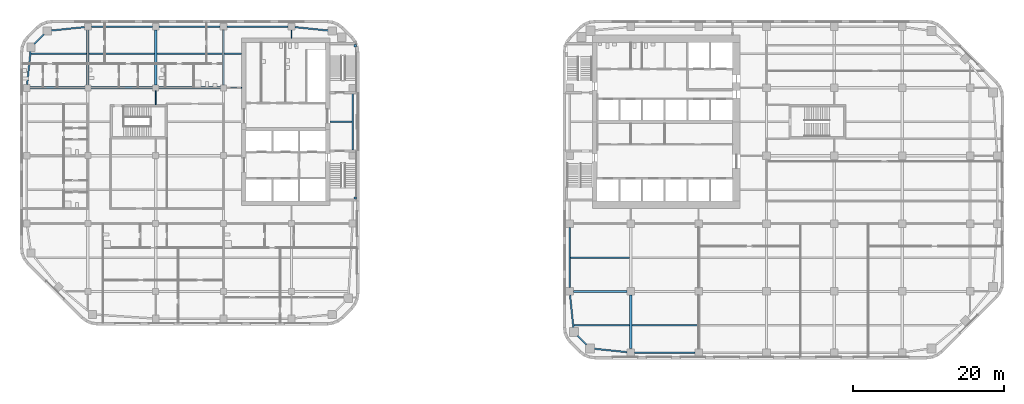
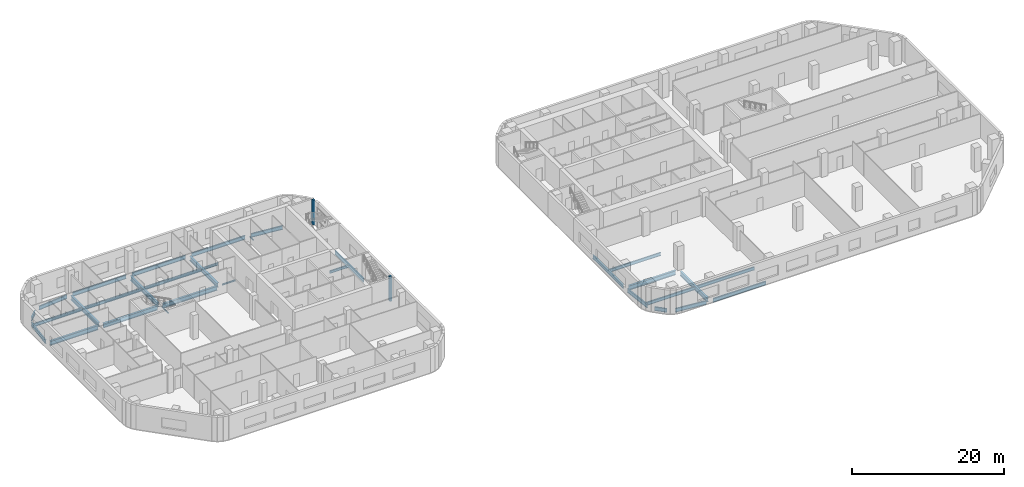
# One storey, part 2 of 16: 32 beams, 2 members.
"""IFC4 building model written with IfcOpenShell, lengths in metres."""

from ifc_helpers import new_model, si_unit, direction, frame, origin, origin_2d, place, context, subcontext, project, spatial, rectangle, i_section, extrude, material, material_profile, profile_set, type_object, element, save


model = new_model("IFC4")

# Units and contexts
model_context = context("Model", 3, precision=1e-05, world=origin(), true_north=direction((0.0, 1.0)))
body_context = subcontext(model_context, "Body", "Model", "MODEL_VIEW")
ifc_project = project(units=[si_unit("LENGTHUNIT", "METRE"), si_unit("AREAUNIT", "SQUARE_METRE"), si_unit("VOLUMEUNIT", "CUBIC_METRE"), si_unit("PLANEANGLEUNIT", "RADIAN"), si_unit("MASSUNIT", "GRAM", prefix="KILO")], contexts=[model_context])

# Site, building, storey
site_placement = place(None, origin())
site = spatial("IfcSite", under=ifc_project, at=site_placement, CompositionType="ELEMENT")
building_placement = place(site_placement, origin())
building = spatial("IfcBuilding", under=site, at=building_placement, Name="Cinnabar Reach Civic Tower", CompositionType="ELEMENT")
storey_placement = place(building_placement, frame((0.0, 0.0, 38.0)))
storey = spatial("IfcBuildingStorey", under=building, at=storey_placement, Name="L08", CompositionType="ELEMENT", Elevation=38.0)

# Beams
ifc_material_1 = material(Name="Steel Q355B", Category="steel")
ifc_material_profile_1 = material_profile(ifc_material_1, i_section(OverallWidth=0.099, OverallDepth=0.198, WebThickness=0.0045, FlangeThickness=0.007, FilletRadius=0.013, at=origin_2d()), Name="HN200x100x5.5x8")
ifc_profile_set_1 = profile_set([ifc_material_profile_1], Name="Steel Q355B")
beam_type_1 = type_object("IfcBeamType", Name="HN200x100x5.5x8 beam R 120", PredefinedType="BEAM", material=ifc_profile_set_1)
beam_1_placement = place(storey_placement, frame((-54.0, 33.752, -0.249), z_axis=(0.0, 1.0, 0.0), x_axis=(-1.0, 0.0, 0.0)))
element("IfcBeam", 1, at=beam_1_placement, inside=storey, type_object=beam_type_1, Name="Girder T2 L08 10", PredefinedType="BEAM", context=body_context, shape_type="SweptSolid", body=[
    extrude(i_section(OverallWidth=0.099, OverallDepth=0.198, WebThickness=0.0045, FlangeThickness=0.007, FilletRadius=0.013, at=origin_2d()), origin(), (0.0, 0.0, 1.0), 1.846),
])
beam_2_placement = place(storey_placement, frame((-36.0, 42.602, -0.249), z_axis=(0.0, 1.0, 0.0), x_axis=(-1.0, 0.0, 0.0)))
element("IfcBeam", 2, at=beam_2_placement, inside=storey, type_object=beam_type_1, Name="Girder T2 L08 20", PredefinedType="BEAM", context=body_context, shape_type="SweptSolid", body=[
    extrude(i_section(OverallWidth=0.099, OverallDepth=0.198, WebThickness=0.0045, FlangeThickness=0.007, FilletRadius=0.013, at=origin_2d()), origin(), (0.0, 0.0, 1.0), 1.046),
])
ifc_material_profile_2 = material_profile(ifc_material_1, i_section(OverallWidth=0.124, OverallDepth=0.248, WebThickness=0.005, FlangeThickness=0.008, FilletRadius=0.013, at=origin_2d()), Name="HN250x125x6x9")
ifc_profile_set_2 = profile_set([ifc_material_profile_2], Name="Steel Q355B")
beam_type_2 = type_object("IfcBeamType", Name="HN250x125x6x9 beam R 120", PredefinedType="BEAM", material=ifc_profile_set_2)
beam_3_placement = place(storey_placement, frame((-44.598, 36.0, -0.274), z_axis=(1.0, 0.0, 0.0), x_axis=(0.0, 1.0, 0.0)))
element("IfcBeam", 3, at=beam_3_placement, inside=storey, type_object=beam_type_2, Name="Girder T2 L08 18", PredefinedType="BEAM", context=body_context, shape_type="SweptSolid", body=[
    extrude(i_section(OverallWidth=0.124, OverallDepth=0.248, WebThickness=0.005, FlangeThickness=0.008, FilletRadius=0.013, at=origin_2d()), origin(), (0.0, 0.0, 1.0), 1.996),
])
ifc_material_profile_3 = material_profile(ifc_material_1, i_section(OverallWidth=0.2, OverallDepth=0.4, WebThickness=0.008, FlangeThickness=0.013, FilletRadius=0.016, at=origin_2d()), Name="HN400x200x8x13")
ifc_profile_set_3 = profile_set([ifc_material_profile_3], Name="Steel Q355B")
beam_type_3 = type_object("IfcBeamType", Name="HN400x200x8x13 beam R 120", PredefinedType="BEAM", material=ifc_profile_set_3)
beam_4_placement = place(storey_placement, frame((-30.898, 31.5, -0.35), z_axis=(1.0, 0.0, 0.0), x_axis=(0.0, 1.0, 0.0)))
element("IfcBeam", 4, at=beam_4_placement, inside=storey, type_object=beam_type_3, Name="Secondary beam T2 L08 14", PredefinedType="BEAM", context=body_context, shape_type="SweptSolid", body=[
    extrude(i_section(OverallWidth=0.2, OverallDepth=0.4, WebThickness=0.008, FlangeThickness=0.013, FilletRadius=0.016, at=origin_2d()), origin(), (0.0, 0.0, 1.0), 2.896),
])
beam_5_placement = place(storey_placement, frame((-44.848, 40.5, -0.35), z_axis=(1.0, 0.0, 0.0), x_axis=(0.0, 1.0, 0.0)))
element("IfcBeam", 5, at=beam_5_placement, inside=storey, type_object=beam_type_3, Name="Secondary beam T2 L08 18", PredefinedType="BEAM", context=body_context, shape_type="SweptSolid", body=[
    extrude(i_section(OverallWidth=0.2, OverallDepth=0.4, WebThickness=0.008, FlangeThickness=0.013, FilletRadius=0.016, at=origin_2d()), origin(), (0.0, 0.0, 1.0), 2.246),
])
ifc_material_profile_4 = material_profile(ifc_material_1, i_section(OverallWidth=0.2, OverallDepth=0.5, WebThickness=0.01, FlangeThickness=0.016, FilletRadius=0.016, at=origin_2d()), Name="HN500x200x10x16")
ifc_profile_set_4 = profile_set([ifc_material_profile_4], Name="Steel Q355B")
beam_type_4 = type_object("IfcBeamType", Name="HN500x200x10x16 beam R 120", PredefinedType="BEAM", material=ifc_profile_set_4)
beam_6_placement = place(storey_placement, frame((-70.5364, 40.5, -0.4), z_axis=(1.0, 0.0, 0.0), x_axis=(0.0, 1.0, 0.0)))
element("IfcBeam", 6, at=beam_6_placement, inside=storey, type_object=beam_type_4, Name="Secondary beam T2 L08 15", PredefinedType="BEAM", context=body_context, shape_type="SweptSolid", body=[
    extrude(i_section(OverallWidth=0.2, OverallDepth=0.5, WebThickness=0.01, FlangeThickness=0.016, FilletRadius=0.016, at=origin_2d()), origin(), (0.0, 0.0, 1.0), 7.3844),
])
for number, where, z_axis, x_axis, name in (
    (7, (-62.848, 40.5, -0.4), (1.0, 0.0, 0.0), (0.0, 1.0, 0.0), "Secondary beam T2 L08 16"),
    (8, (-53.848, 40.5, -0.4), (1.0, 0.0, 0.0), (0.0, 1.0, 0.0), "Secondary beam T2 L08 17"),
):
    element("IfcBeam", number, at=place(storey_placement, frame(where, z_axis=z_axis, x_axis=x_axis)), inside=storey, type_object=beam_type_4, Name=name, PredefinedType="BEAM", context=body_context, shape_type="SweptSolid", body=[
        extrude(i_section(OverallWidth=0.2, OverallDepth=0.5, WebThickness=0.01, FlangeThickness=0.016, FilletRadius=0.016, at=origin_2d()), origin(), (0.0, 0.0, 1.0), 8.696),
    ])
ifc_material_profile_5 = material_profile(ifc_material_1, i_section(OverallWidth=0.2, OverallDepth=0.5, WebThickness=0.01, FlangeThickness=0.016, FilletRadius=0.016, at=origin_2d()), Name="HN500x200x10x16")
ifc_profile_set_5 = profile_set([ifc_material_profile_5], Name="Steel Q355B")
beam_type_5 = type_object("IfcBeamType", Name="HN500x200x10x16 beam R 180", PredefinedType="BEAM", material=ifc_profile_set_5)
beam_7_placement = place(storey_placement, frame((1.4636, 4.5, -0.4), z_axis=(1.0, 0.0, 0.0), x_axis=(0.0, 1.0, 0.0)))
element("IfcBeam", 9, at=beam_7_placement, inside=storey, type_object=beam_type_5, Name="Secondary beam T1 L08 1", PredefinedType="BEAM", context=body_context, shape_type="SweptSolid", body=[
    extrude(i_section(OverallWidth=0.2, OverallDepth=0.5, WebThickness=0.01, FlangeThickness=0.016, FilletRadius=0.016, at=origin_2d()), origin(), (0.0, 0.0, 1.0), 7.3844),
])
beam_8_placement = place(storey_placement, frame((9.152, 4.5, -0.4), z_axis=(1.0, 0.0, 0.0), x_axis=(0.0, 1.0, 0.0)))
element("IfcBeam", 10, at=beam_8_placement, inside=storey, type_object=beam_type_5, Name="Secondary beam T1 L08 2", PredefinedType="BEAM", context=body_context, shape_type="SweptSolid", body=[
    extrude(i_section(OverallWidth=0.2, OverallDepth=0.5, WebThickness=0.01, FlangeThickness=0.016, FilletRadius=0.016, at=origin_2d()), origin(), (0.0, 0.0, 1.0), 8.696),
])
beam_9_placement = place(storey_placement, frame((1.002, 13.5, -0.4), z_axis=(1.0, 0.0, 0.0), x_axis=(0.0, 1.0, 0.0)))
element("IfcBeam", 11, at=beam_9_placement, inside=storey, type_object=beam_type_5, Name="Secondary beam T1 L08 7", PredefinedType="BEAM", context=body_context, shape_type="SweptSolid", body=[
    extrude(i_section(OverallWidth=0.2, OverallDepth=0.5, WebThickness=0.01, FlangeThickness=0.016, FilletRadius=0.016, at=origin_2d()), origin(), (0.0, 0.0, 1.0), 7.846),
])
ifc_material_profile_6 = material_profile(ifc_material_1, i_section(OverallWidth=0.2, OverallDepth=0.6, WebThickness=0.011, FlangeThickness=0.017, FilletRadius=0.016, at=origin_2d()), Name="HN600x200x11x17")
ifc_profile_set_6 = profile_set([ifc_material_profile_6], Name="Steel Q355B")
beam_type_6 = type_object("IfcBeamType", Name="HN600x200x11x17 beam R 120", PredefinedType="BEAM", material=ifc_profile_set_6)
beam_10_placement = place(storey_placement, frame((-27.9, 27.752, -0.45), z_axis=(0.0, 1.0, 0.0), x_axis=(-1.0, 0.0, 0.0)))
element("IfcBeam", 12, at=beam_10_placement, inside=storey, type_object=beam_type_6, Name="Edge beam T2 L08 8", PredefinedType="BEAM", context=body_context, shape_type="SweptSolid", body=[
    extrude(i_section(OverallWidth=0.2, OverallDepth=0.6, WebThickness=0.011, FlangeThickness=0.017, FilletRadius=0.016, at=origin_2d()), origin(), (0.0, 0.0, 1.0), 7.496),
])
beam_11_placement = place(storey_placement, frame((-31.0339, 43.5912, -0.45), z_axis=(-0.994792272495, 0.101923179821, 0.0), x_axis=(-0.101923179821, -0.994792272495, 0.0)))
element("IfcBeam", 13, at=beam_11_placement, inside=storey, type_object=beam_type_6, Name="Edge beam T2 L08 9", PredefinedType="BEAM", context=body_context, shape_type="SweptSolid", body=[
    extrude(i_section(OverallWidth=0.2, OverallDepth=0.6, WebThickness=0.011, FlangeThickness=0.017, FilletRadius=0.016, at=origin_2d()), origin(), (0.0, 0.0, 1.0), 4.5377),
])
for number, where, z_axis, x_axis, name in (
    (14, (-36.452, 44.1, -0.45), (-1.0, 0.0, 0.0), (0.0, -1.0, 0.0), "Edge beam T2 L08 10"),
    (15, (-45.452, 44.1, -0.45), (-1.0, 0.0, 0.0), (0.0, -1.0, 0.0), "Edge beam T2 L08 11"),
    (16, (-54.452, 44.1, -0.45), (-1.0, 0.0, 0.0), (0.0, -1.0, 0.0), "Edge beam T2 L08 12"),
):
    element("IfcBeam", number, at=place(storey_placement, frame(where, z_axis=z_axis, x_axis=x_axis)), inside=storey, type_object=beam_type_6, Name=name, PredefinedType="BEAM", context=body_context, shape_type="SweptSolid", body=[
        extrude(i_section(OverallWidth=0.2, OverallDepth=0.6, WebThickness=0.011, FlangeThickness=0.017, FilletRadius=0.016, at=origin_2d()), origin(), (0.0, 0.0, 1.0), 8.096),
    ])
beam_12_placement = place(storey_placement, frame((-63.452, 44.0537, -0.45), z_axis=(-0.994792272495, -0.101923179821, 0.0), x_axis=(0.101923179821, -0.994792272495, 0.0)))
element("IfcBeam", 17, at=beam_12_placement, inside=storey, type_object=beam_type_6, Name="Edge beam T2 L08 13", PredefinedType="BEAM", context=body_context, shape_type="SweptSolid", body=[
    extrude(i_section(OverallWidth=0.2, OverallDepth=0.6, WebThickness=0.011, FlangeThickness=0.017, FilletRadius=0.016, at=origin_2d()), origin(), (0.0, 0.0, 1.0), 4.5377),
])
beam_13_placement = place(storey_placement, frame((-68.8301, 43.1149, -0.45), z_axis=(-0.707106781187, -0.707106781187, 0.0), x_axis=(0.707106781187, -0.707106781187, 0.0)))
element("IfcBeam", 18, at=beam_13_placement, inside=storey, type_object=beam_type_6, Name="Edge beam T2 L08 14", PredefinedType="BEAM", context=body_context, shape_type="SweptSolid", body=[
    extrude(i_section(OverallWidth=0.2, OverallDepth=0.6, WebThickness=0.011, FlangeThickness=0.017, FilletRadius=0.016, at=origin_2d()), origin(), (0.0, 0.0, 1.0), 1.817),
])
beam_14_placement = place(storey_placement, frame((-70.5912, 40.9661, -0.45), z_axis=(-0.101923179821, -0.994792272495, 0.0), x_axis=(0.994792272495, -0.101923179821, 0.0)))
element("IfcBeam", 19, at=beam_14_placement, inside=storey, type_object=beam_type_6, Name="Edge beam T2 L08 15", PredefinedType="BEAM", context=body_context, shape_type="SweptSolid", body=[
    extrude(i_section(OverallWidth=0.2, OverallDepth=0.6, WebThickness=0.011, FlangeThickness=0.017, FilletRadius=0.016, at=origin_2d()), origin(), (0.0, 0.0, 1.0), 4.5377),
])
ifc_material_profile_7 = material_profile(ifc_material_1, i_section(OverallWidth=0.2, OverallDepth=0.6, WebThickness=0.011, FlangeThickness=0.017, FilletRadius=0.016, at=origin_2d()), Name="HN600x200x11x17")
ifc_profile_set_7 = profile_set([ifc_material_profile_7], Name="Steel Q355B")
beam_type_7 = type_object("IfcBeamType", Name="HN600x200x11x17 beam R 180", PredefinedType="BEAM", material=ifc_profile_set_7)
beam_15_placement = place(storey_placement, frame((4.0839, 1.4037, -0.45), z_axis=(0.994791228755, -0.101933366432, 0.0), x_axis=(0.101933366432, 0.994791228755, 0.0)))
element("IfcBeam", 20, at=beam_15_placement, inside=storey, type_object=beam_type_7, Name="Edge beam T1 L08 1", PredefinedType="BEAM", context=body_context, shape_type="SweptSolid", body=[
    extrude(i_section(OverallWidth=0.2, OverallDepth=0.6, WebThickness=0.011, FlangeThickness=0.017, FilletRadius=0.016, at=origin_2d()), origin(), (0.0, 0.0, 1.0), 4.4372),
])
for number, where, z_axis, x_axis, name in (
    (21, (9.502, 0.9, -0.45), (1.0, 0.0, 0.0), (0.0, 1.0, 0.0), "Edge beam T1 L08 2"),
    (22, (0.9, 17.498, -0.45), (0.0, -1.0, 0.0), (1.0, 0.0, 0.0), "Edge beam T1 L08 22"),
):
    element("IfcBeam", number, at=place(storey_placement, frame(where, z_axis=z_axis, x_axis=x_axis)), inside=storey, type_object=beam_type_7, Name=name, PredefinedType="BEAM", context=body_context, shape_type="SweptSolid", body=[
        extrude(i_section(OverallWidth=0.2, OverallDepth=0.6, WebThickness=0.011, FlangeThickness=0.017, FilletRadius=0.016, at=origin_2d()), origin(), (0.0, 0.0, 1.0), 7.996),
    ])
beam_16_placement = place(storey_placement, frame((0.9514, 8.498, -0.45), z_axis=(0.101933366432, -0.994791228755, 0.0), x_axis=(0.994791228755, 0.101933366432, 0.0)))
element("IfcBeam", 23, at=beam_16_placement, inside=storey, type_object=beam_type_7, Name="Edge beam T1 L08 23", PredefinedType="BEAM", context=body_context, shape_type="SweptSolid", body=[
    extrude(i_section(OverallWidth=0.2, OverallDepth=0.6, WebThickness=0.011, FlangeThickness=0.017, FilletRadius=0.016, at=origin_2d()), origin(), (0.0, 0.0, 1.0), 4.4372),
])
beam_17_placement = place(storey_placement, frame((1.9351, 3.1199, -0.45), z_axis=(0.707106781187, -0.707106781187, 0.0), x_axis=(0.707106781187, 0.707106781187, 0.0)))
element("IfcBeam", 24, at=beam_17_placement, inside=storey, type_object=beam_type_7, Name="Edge beam T1 L08 24", PredefinedType="BEAM", context=body_context, shape_type="SweptSolid", body=[
    extrude(i_section(OverallWidth=0.2, OverallDepth=0.6, WebThickness=0.011, FlangeThickness=0.017, FilletRadius=0.016, at=origin_2d()), origin(), (0.0, 0.0, 1.0), 1.6756),
])
ifc_material_profile_8 = material_profile(ifc_material_1, i_section(OverallWidth=0.3, OverallDepth=0.692, WebThickness=0.013, FlangeThickness=0.02, FilletRadius=0.016, at=origin_2d()), Name="HN692x300x13x20")
ifc_profile_set_8 = profile_set([ifc_material_profile_8], Name="Steel Q355B")
beam_type_8 = type_object("IfcBeamType", Name="HN692x300x13x20 beam R 120", PredefinedType="BEAM", material=ifc_profile_set_8)
for number, where, z_axis, x_axis, name in (
    (25, (-63.0, 36.402, -0.496), (0.0, 1.0, 0.0), (-1.0, 0.0, 0.0), "Girder T2 L08 5"),
    (26, (-54.0, 36.402, -0.496), (0.0, 1.0, 0.0), (-1.0, 0.0, 0.0), "Girder T2 L08 11"),
    (27, (-45.0, 36.402, -0.496), (0.0, 1.0, 0.0), (-1.0, 0.0, 0.0), "Girder T2 L08 16"),
):
    element("IfcBeam", number, at=place(storey_placement, frame(where, z_axis=z_axis, x_axis=x_axis)), inside=storey, type_object=beam_type_8, Name=name, PredefinedType="BEAM", context=body_context, shape_type="SweptSolid", body=[
        extrude(i_section(OverallWidth=0.3, OverallDepth=0.692, WebThickness=0.013, FlangeThickness=0.02, FilletRadius=0.016, at=origin_2d()), origin(), (0.0, 0.0, 1.0), 7.246),
    ])
ifc_material_profile_9 = material_profile(ifc_material_1, i_section(OverallWidth=0.3, OverallDepth=0.692, WebThickness=0.013, FlangeThickness=0.02, FilletRadius=0.016, at=origin_2d()), Name="HN692x300x13x20")
ifc_profile_set_9 = profile_set([ifc_material_profile_9], Name="Steel Q355B")
beam_type_9 = type_object("IfcBeamType", Name="HN692x300x13x20 beam R 180", PredefinedType="BEAM", material=ifc_profile_set_9)
beam_18_placement = place(storey_placement, frame((9.0, 1.402, -0.496), z_axis=(0.0, 1.0, 0.0), x_axis=(-1.0, 0.0, 0.0)))
element("IfcBeam", 28, at=beam_18_placement, inside=storey, type_object=beam_type_9, Name="Girder T1 L08 1", PredefinedType="BEAM", context=body_context, shape_type="SweptSolid", body=[
    extrude(i_section(OverallWidth=0.3, OverallDepth=0.692, WebThickness=0.013, FlangeThickness=0.02, FilletRadius=0.016, at=origin_2d()), origin(), (0.0, 0.0, 1.0), 7.096),
])
ifc_material_profile_10 = material_profile(ifc_material_1, i_section(OverallWidth=0.3, OverallDepth=0.7, WebThickness=0.013, FlangeThickness=0.024, FilletRadius=0.02, at=origin_2d()), Name="HN700x300x13x24")
ifc_profile_set_10 = profile_set([ifc_material_profile_10], Name="Steel Q355B")
beam_type_10 = type_object("IfcBeamType", Name="HN700x300x13x24 beam R 120", PredefinedType="BEAM", material=ifc_profile_set_10)
beam_19_placement = place(storey_placement, frame((-70.648, 36.0, -0.5), z_axis=(1.0, 0.0, 0.0), x_axis=(0.0, 1.0, 0.0)))
element("IfcBeam", 29, at=beam_19_placement, inside=storey, type_object=beam_type_10, Name="Girder T2 L08 15", PredefinedType="BEAM", context=body_context, shape_type="SweptSolid", body=[
    extrude(i_section(OverallWidth=0.3, OverallDepth=0.7, WebThickness=0.013, FlangeThickness=0.024, FilletRadius=0.02, at=origin_2d()), origin(), (0.0, 0.0, 1.0), 7.246),
])
for number, where, z_axis, x_axis, name in (
    (30, (-62.598, 36.0, -0.5), (1.0, 0.0, 0.0), (0.0, 1.0, 0.0), "Girder T2 L08 16"),
    (31, (-53.598, 36.0, -0.5), (1.0, 0.0, 0.0), (0.0, 1.0, 0.0), "Girder T2 L08 17"),
):
    element("IfcBeam", number, at=place(storey_placement, frame(where, z_axis=z_axis, x_axis=x_axis)), inside=storey, type_object=beam_type_10, Name=name, PredefinedType="BEAM", context=body_context, shape_type="SweptSolid", body=[
        extrude(i_section(OverallWidth=0.3, OverallDepth=0.7, WebThickness=0.013, FlangeThickness=0.024, FilletRadius=0.02, at=origin_2d()), origin(), (0.0, 0.0, 1.0), 8.196),
    ])
ifc_material_profile_11 = material_profile(ifc_material_1, i_section(OverallWidth=0.3, OverallDepth=0.7, WebThickness=0.013, FlangeThickness=0.024, FilletRadius=0.02, at=origin_2d()), Name="HN700x300x13x24")
ifc_profile_set_11 = profile_set([ifc_material_profile_11], Name="Steel Q355B")
beam_type_11 = type_object("IfcBeamType", Name="HN700x300x13x24 beam R 180", PredefinedType="BEAM", material=ifc_profile_set_11)
beam_20_placement = place(storey_placement, frame((1.402, 9.0, -0.5), z_axis=(1.0, 0.0, 0.0), x_axis=(0.0, 1.0, 0.0)))
element("IfcBeam", 32, at=beam_20_placement, inside=storey, type_object=beam_type_11, Name="Girder T1 L08 1", PredefinedType="BEAM", context=body_context, shape_type="SweptSolid", body=[
    extrude(i_section(OverallWidth=0.3, OverallDepth=0.7, WebThickness=0.013, FlangeThickness=0.024, FilletRadius=0.02, at=origin_2d()), origin(), (0.0, 0.0, 1.0), 7.096),
])

# Members
ifc_material_2 = material(Name="Concrete C40", Category="concrete")
ifc_material_profile_12 = material_profile(ifc_material_2, rectangle(XDim=0.3, YDim=0.3, at=origin_2d()), Name="C300")
ifc_profile_set_12 = profile_set([ifc_material_profile_12], Name="Concrete C40")
member_type = type_object("IfcMemberType", Name="T2 stair post 300", PredefinedType="STRUT", material=ifc_profile_set_12)
for number, where, z_axis, x_axis, name in (
    (33, (-27.55, 21.4, 0.0), (0.0, 0.0, 1.0), (1.0, 0.0, 0.0), "Stair post 1"),
    (34, (-27.55, 41.6, 0.0), (0.0, 0.0, 1.0), (1.0, 0.0, 0.0), "Stair post 2"),
):
    element("IfcMember", number, at=place(storey_placement, frame(where, z_axis=z_axis, x_axis=x_axis)), inside=storey, type_object=member_type, Name=name, PredefinedType="STRUT", context=body_context, shape_type="SweptSolid", body=[
        extrude(rectangle(XDim=0.3, YDim=0.3, at=origin_2d()), origin(), (0.0, 0.0, 1.0), 4.0),
    ])

save(model, "model.ifc")
